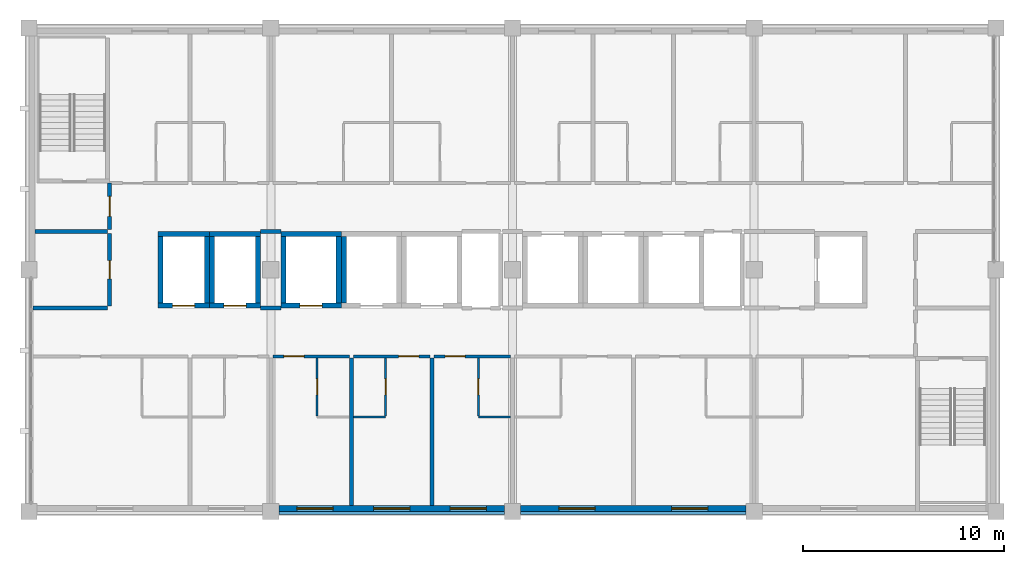
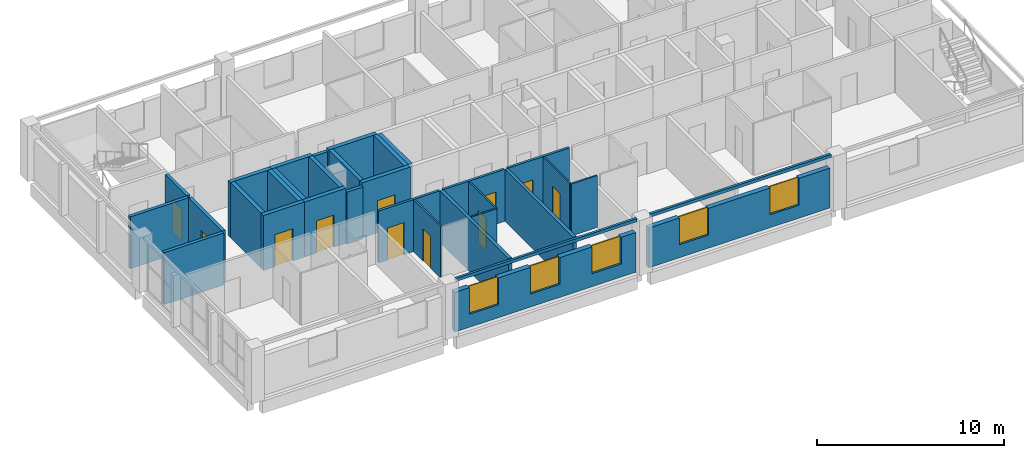
# One storey, part 6 of 11: 33 walls, 11 doors, 5 windows, 16 openings.
"""IFC4 building model written with IfcOpenShell, lengths in metres."""

from ifc_helpers import new_model, si_unit, direction, frame, frame_2d, origin, place, context, subcontext, project, spatial, rectangle, extrude, material, layer, layer_set, type_object, element, fill, save


model = new_model("IFC4")

# Units and contexts
model_context = context("Model", 3, precision=1e-05, world=origin(), true_north=direction((0.0, 1.0)))
body_context = subcontext(model_context, "Body", "Model", "MODEL_VIEW")
ifc_project = project(units=[si_unit("LENGTHUNIT", "METRE"), si_unit("AREAUNIT", "SQUARE_METRE"), si_unit("VOLUMEUNIT", "CUBIC_METRE"), si_unit("PLANEANGLEUNIT", "RADIAN"), si_unit("MASSUNIT", "GRAM", prefix="KILO")], contexts=[model_context])

# Site, building, storey
site_placement = place(None, origin())
site = spatial("IfcSite", under=ifc_project, at=site_placement, CompositionType="ELEMENT")
building_placement = place(site_placement, origin())
building = spatial("IfcBuilding", under=site, at=building_placement, Name="Lilac Gate Convention Centre", CompositionType="ELEMENT")
storey_placement = place(building_placement, frame((0.0, 0.0, 42.60009765625)))
storey = spatial("IfcBuildingStorey", under=building, at=storey_placement, Name="L10", CompositionType="ELEMENT", Elevation=42.60009765625)

# Wall, opening, door
ifc_material_1 = material(Name="Concrete C50", Category="concrete")
ifc_layer_1 = layer(ifc_material_1, 0.25)
ifc_layer_set_1 = layer_set([ifc_layer_1], Name="Concrete C50")
wall_type_1 = type_object("IfcWallType", Name="Core wall 250 C50", PredefinedType="SHEAR", material=ifc_layer_set_1)
wall_1_placement = place(storey_placement, frame((54.5, 232.22509765625, 0.0), z_axis=(0.0, 0.0, 1.0), x_axis=(1.0, 0.0, 0.0)))
wall_1 = element("IfcWall", 1, at=wall_1_placement, inside=storey, type_object=wall_type_1, Name="CRW4 core wall TC L10 1", PredefinedType="SHEAR", context=body_context, shape_type="SweptSolid", body=[
    extrude(rectangle(XDim=3.0, YDim=0.25, at=frame_2d((1.5, 0.0))), origin(), (0.0, 0.0, 1.0), 3.599853515625),
])
opening_1_placement = place(wall_1_placement, frame((0.949951171875, 0.0, 0.0)))
opening_1 = element("IfcOpeningElement", 2, at=opening_1_placement, cuts=wall_1, Name="Opening T10-042", PredefinedType="OPENING", context=body_context, shape_type="SweptSolid", body=[
    extrude(rectangle(XDim=1.10009765625, YDim=2.10009765625, at=frame_2d((0.550048828125, 1.050048828125))), frame((0.0, 0.135009765625, 0.0), z_axis=(0.0, -1.0, 0.0), x_axis=(1.0, 0.0, 0.0)), (0.0, 0.0, 1.0), 0.27001953125),
])
ifc_material_2 = material(Name="Stainless steel 304", Category="steel")
door_type_1 = type_object("IfcDoorType", Name="Lift landing door 1100", OperationType="SLIDING_TO_LEFT", PredefinedType="DOOR", material=ifc_material_2)
door_1_placement = place(opening_1_placement, origin())
door_1 = element("IfcDoor", 3, at=door_1_placement, inside=storey, type_object=door_type_1, Name="Lift landing door TP1 L10", OperationType="SLIDING_TO_LEFT", OverallHeight=2.10009765625, OverallWidth=1.10009765625, PredefinedType="DOOR", context=body_context, shape_type="SweptSolid", body=[
    extrude(rectangle(XDim=1.10009765625, YDim=2.10009765625, at=frame_2d((0.550048828125, 1.050048828125))), frame((0.0, 0.02490234375, 0.0), z_axis=(0.0, -1.0, 0.0), x_axis=(1.0, 0.0, 0.0)), (0.0, 0.0, 1.0), 0.050048828125),
])
fill(opening_1, door_1)

# Walls
wall_2_placement = place(storey_placement, frame((54.5, 235.77490234375, 0.0), z_axis=(0.0, 0.0, 1.0), x_axis=(1.0, 0.0, 0.0)))
element("IfcWall", 4, at=wall_2_placement, inside=storey, type_object=wall_type_1, Name="CRW4 core wall TC L10 2", PredefinedType="SHEAR", context=body_context, shape_type="SweptSolid", body=[
    extrude(rectangle(XDim=3.0, YDim=0.25, at=frame_2d((1.5, 0.0))), origin(), (0.0, 0.0, 1.0), 3.599853515625),
])
for number, where, z_axis, x_axis, name in (
    (5, (54.625, 232.35009765625, 0.0), (0.0, 0.0, 1.0), (0.0, 1.0, 0.0), "CRW4 core wall TC L10 3"),
    (6, (57.375, 232.35009765625, 0.0), (0.0, 0.0, 1.0), (0.0, 1.0, 0.0), "CRW4 core wall TC L10 4"),
    (7, (57.625, 232.35009765625, 0.0), (0.0, 0.0, 1.0), (0.0, 1.0, 0.0), "CRW4 core wall TC L10 7"),
):
    element("IfcWall", number, at=place(storey_placement, frame(where, z_axis=z_axis, x_axis=x_axis)), inside=storey, type_object=wall_type_1, Name=name, PredefinedType="SHEAR", context=body_context, shape_type="SweptSolid", body=[
        extrude(rectangle(XDim=3.2998046875, YDim=0.25, at=frame_2d((1.64990234375, 0.0))), origin(), (0.0, 0.0, 1.0), 3.599853515625),
    ])

# Wall, opening, door
wall_3_placement = place(storey_placement, frame((48.39990234375, 232.22509765625, 0.0), z_axis=(0.0, 0.0, 1.0), x_axis=(1.0, 0.0, 0.0)))
wall_3 = element("IfcWall", 8, at=wall_3_placement, inside=storey, type_object=wall_type_1, Name="CRW4 core wall TC L10 25", PredefinedType="SHEAR", context=body_context, shape_type="SweptSolid", body=[
    extrude(rectangle(XDim=2.550048828125, YDim=0.25, at=frame_2d((1.27490234375, 0.0))), origin(), (0.0, 0.0, 1.0), 3.599853515625),
])
opening_2_placement = place(wall_3_placement, frame((0.72509765625, 0.0, 0.0)))
opening_2 = element("IfcOpeningElement", 9, at=opening_2_placement, cuts=wall_3, Name="Opening T10-048", PredefinedType="OPENING", context=body_context, shape_type="SweptSolid", body=[
    extrude(rectangle(XDim=1.10009765625, YDim=2.10009765625, at=frame_2d((0.550048828125, 1.050048828125))), frame((0.0, 0.135009765625, 0.0), z_axis=(0.0, -1.0, 0.0), x_axis=(1.0, 0.0, 0.0)), (0.0, 0.0, 1.0), 0.27001953125),
])
door_2_placement = place(opening_2_placement, origin())
door_2 = element("IfcDoor", 10, at=door_2_placement, inside=storey, type_object=door_type_1, Name="Lift landing door TS1 L10", OperationType="SLIDING_TO_LEFT", OverallHeight=2.10009765625, OverallWidth=1.10009765625, PredefinedType="DOOR", context=body_context, shape_type="SweptSolid", body=[
    extrude(rectangle(XDim=1.10009765625, YDim=2.10009765625, at=frame_2d((0.550048828125, 1.050048828125))), frame((0.0, 0.02490234375, 0.0), z_axis=(0.0, -1.0, 0.0), x_axis=(1.0, 0.0, 0.0)), (0.0, 0.0, 1.0), 0.050048828125),
])
fill(opening_2, door_2)

# Walls
wall_4_placement = place(storey_placement, frame((48.39990234375, 235.77490234375, 0.0), z_axis=(0.0, 0.0, 1.0), x_axis=(1.0, 0.0, 0.0)))
element("IfcWall", 11, at=wall_4_placement, inside=storey, type_object=wall_type_1, Name="CRW4 core wall TC L10 26", PredefinedType="SHEAR", context=body_context, shape_type="SweptSolid", body=[
    extrude(rectangle(XDim=2.550048828125, YDim=0.25, at=frame_2d((1.27490234375, 0.0))), origin(), (0.0, 0.0, 1.0), 3.599853515625),
])
for number, where, z_axis, x_axis, name in (
    (12, (48.52490234375, 232.35009765625, 0.0), (0.0, 0.0, 1.0), (0.0, 1.0, 0.0), "CRW4 core wall TC L10 27"),
    (13, (50.824951171875, 232.35009765625, 0.0), (0.0, 0.0, 1.0), (0.0, 1.0, 0.0), "CRW4 core wall TC L10 28"),
):
    element("IfcWall", number, at=place(storey_placement, frame(where, z_axis=z_axis, x_axis=x_axis)), inside=storey, type_object=wall_type_1, Name=name, PredefinedType="SHEAR", context=body_context, shape_type="SweptSolid", body=[
        extrude(rectangle(XDim=3.2998046875, YDim=0.25, at=frame_2d((1.64990234375, 0.0))), origin(), (0.0, 0.0, 1.0), 3.599853515625),
    ])

# Wall, opening, door
wall_5_placement = place(storey_placement, frame((50.949951171875, 232.22509765625, 0.0), z_axis=(0.0, 0.0, 1.0), x_axis=(1.0, 0.0, 0.0)))
wall_5 = element("IfcWall", 14, at=wall_5_placement, inside=storey, type_object=wall_type_1, Name="CRW4 core wall TC L10 29", PredefinedType="SHEAR", context=body_context, shape_type="SweptSolid", body=[
    extrude(rectangle(XDim=2.550048828125, YDim=0.25, at=frame_2d((1.27490234375, 0.0))), origin(), (0.0, 0.0, 1.0), 3.599853515625),
])
opening_3_placement = place(wall_5_placement, frame((0.72509765625, 0.0, 0.0)))
opening_3 = element("IfcOpeningElement", 15, at=opening_3_placement, cuts=wall_5, Name="Opening T10-049", PredefinedType="OPENING", context=body_context, shape_type="SweptSolid", body=[
    extrude(rectangle(XDim=1.10009765625, YDim=2.10009765625, at=frame_2d((0.550048828125, 1.050048828125))), frame((0.0, 0.135009765625, 0.0), z_axis=(0.0, -1.0, 0.0), x_axis=(1.0, 0.0, 0.0)), (0.0, 0.0, 1.0), 0.27001953125),
])
door_3_placement = place(opening_3_placement, origin())
door_3 = element("IfcDoor", 16, at=door_3_placement, inside=storey, type_object=door_type_1, Name="Lift landing door TS2 L10", OperationType="SLIDING_TO_LEFT", OverallHeight=2.10009765625, OverallWidth=1.10009765625, PredefinedType="DOOR", context=body_context, shape_type="SweptSolid", body=[
    extrude(rectangle(XDim=1.10009765625, YDim=2.10009765625, at=frame_2d((0.550048828125, 1.050048828125))), frame((0.0, 0.02490234375, 0.0), z_axis=(0.0, -1.0, 0.0), x_axis=(1.0, 0.0, 0.0)), (0.0, 0.0, 1.0), 0.050048828125),
])
fill(opening_3, door_3)

# Walls
wall_6_placement = place(storey_placement, frame((50.949951171875, 235.77490234375, 0.0), z_axis=(0.0, 0.0, 1.0), x_axis=(1.0, 0.0, 0.0)))
element("IfcWall", 17, at=wall_6_placement, inside=storey, type_object=wall_type_1, Name="CRW4 core wall TC L10 30", PredefinedType="SHEAR", context=body_context, shape_type="SweptSolid", body=[
    extrude(rectangle(XDim=2.550048828125, YDim=0.25, at=frame_2d((1.27490234375, 0.0))), origin(), (0.0, 0.0, 1.0), 3.599853515625),
])
for number, where, z_axis, x_axis, name in (
    (18, (51.074951171875, 232.35009765625, 0.0), (0.0, 0.0, 1.0), (0.0, 1.0, 0.0), "CRW4 core wall TC L10 31"),
    (19, (53.375, 232.35009765625, 0.0), (0.0, 0.0, 1.0), (0.0, 1.0, 0.0), "CRW4 core wall TC L10 32"),
):
    element("IfcWall", number, at=place(storey_placement, frame(where, z_axis=z_axis, x_axis=x_axis)), inside=storey, type_object=wall_type_1, Name=name, PredefinedType="SHEAR", context=body_context, shape_type="SweptSolid", body=[
        extrude(rectangle(XDim=3.2998046875, YDim=0.25, at=frame_2d((1.64990234375, 0.0))), origin(), (0.0, 0.0, 1.0), 3.599853515625),
    ])

# Wall, opening, door
ifc_material_3 = material(Name="Gypsum board on steel stud", Category="steel")
ifc_layer_2 = layer(ifc_material_3, 0.14990234375)
ifc_layer_set_2 = layer_set([ifc_layer_2], Name="Gypsum board on steel stud")
wall_type_2 = type_object("IfcWallType", Name="Corridor wall 150", PredefinedType="PARTITIONING", material=ifc_layer_set_2)
wall_7_placement = place(storey_placement, frame((57.89990234375, 229.699951171875, 0.0), z_axis=(0.0, 0.0, 1.0), x_axis=(-1.0, 0.0, 0.0)))
wall_7 = element("IfcWall", 20, at=wall_7_placement, inside=storey, type_object=wall_type_2, Name="Corridor wall 150 front 1003", PredefinedType="PARTITIONING", context=body_context, shape_type="SweptSolid", body=[
    extrude(rectangle(XDim=3.7998046875, YDim=0.14990234375, at=frame_2d((1.89990234375, 0.0))), origin(), (0.0, 0.0, 1.0), 3.39990234375),
])
opening_4_placement = place(wall_7_placement, frame((2.25, 0.0, 0.0)))
opening_4 = element("IfcOpeningElement", 21, at=opening_4_placement, cuts=wall_7, Name="Opening T10-012", PredefinedType="OPENING", context=body_context, shape_type="SweptSolid", body=[
    extrude(rectangle(XDim=1.0, YDim=2.10009765625, at=frame_2d((0.5, 1.050048828125))), frame((0.0, 0.0849609375, 0.0), z_axis=(0.0, -1.0, 0.0), x_axis=(1.0, 0.0, 0.0)), (0.0, 0.0, 1.0), 0.169921875),
])
ifc_material_4 = material(Name="Timber", Category="wood")
door_type_2 = type_object("IfcDoorType", Name="Guest room entrance door 1000", OperationType="SINGLE_SWING_LEFT", PredefinedType="DOOR", material=ifc_material_4)
door_4_placement = place(opening_4_placement, origin())
door_4 = element("IfcDoor", 22, at=door_4_placement, inside=storey, type_object=door_type_2, Name="Guest room door 1003", OperationType="SINGLE_SWING_RIGHT", OverallHeight=2.10009765625, OverallWidth=1.0, PredefinedType="DOOR", context=body_context, shape_type="SweptSolid", body=[
    extrude(rectangle(XDim=1.0, YDim=2.10009765625, at=frame_2d((0.5, 1.050048828125))), frame((0.0, 0.02490234375, 0.0), z_axis=(0.0, -1.0, 0.0), x_axis=(1.0, 0.0, 0.0)), (0.0, 0.0, 1.0), 0.050048828125),
])
fill(opening_4, door_4)

wall_8_placement = place(storey_placement, frame((61.89990234375, 229.699951171875, 0.0), z_axis=(0.0, 0.0, 1.0), x_axis=(-1.0, 0.0, 0.0)))
wall_8 = element("IfcWall", 23, at=wall_8_placement, inside=storey, type_object=wall_type_2, Name="Corridor wall 150 front 1004", PredefinedType="PARTITIONING", context=body_context, shape_type="SweptSolid", body=[
    extrude(rectangle(XDim=3.7998046875, YDim=0.14990234375, at=frame_2d((1.89990234375, 0.0))), origin(), (0.0, 0.0, 1.0), 3.39990234375),
])
opening_5_placement = place(wall_8_placement, frame((0.550048828125, 0.0, 0.0)))
opening_5 = element("IfcOpeningElement", 24, at=opening_5_placement, cuts=wall_8, Name="Opening T10-014", PredefinedType="OPENING", context=body_context, shape_type="SweptSolid", body=[
    extrude(rectangle(XDim=1.0, YDim=2.10009765625, at=frame_2d((0.5, 1.050048828125))), frame((0.0, 0.0849609375, 0.0), z_axis=(0.0, -1.0, 0.0), x_axis=(1.0, 0.0, 0.0)), (0.0, 0.0, 1.0), 0.169921875),
])
door_5_placement = place(opening_5_placement, origin())
door_5 = element("IfcDoor", 25, at=door_5_placement, inside=storey, type_object=door_type_2, Name="Guest room door 1004", OperationType="SINGLE_SWING_LEFT", OverallHeight=2.10009765625, OverallWidth=1.0, PredefinedType="DOOR", context=body_context, shape_type="SweptSolid", body=[
    extrude(rectangle(XDim=1.0, YDim=2.10009765625, at=frame_2d((0.5, 1.050048828125))), frame((0.0, 0.02490234375, 0.0), z_axis=(0.0, -1.0, 0.0), x_axis=(1.0, 0.0, 0.0)), (0.0, 0.0, 1.0), 0.050048828125),
])
fill(opening_5, door_5)

wall_9_placement = place(storey_placement, frame((65.89990234375, 229.699951171875, 0.0), z_axis=(0.0, 0.0, 1.0), x_axis=(-1.0, 0.0, 0.0)))
wall_9 = element("IfcWall", 26, at=wall_9_placement, inside=storey, type_object=wall_type_2, Name="Corridor wall 150 front 1005", PredefinedType="PARTITIONING", context=body_context, shape_type="SweptSolid", body=[
    extrude(rectangle(XDim=3.7998046875, YDim=0.14990234375, at=frame_2d((1.89990234375, 0.0))), origin(), (0.0, 0.0, 1.0), 3.39990234375),
])
opening_6_placement = place(wall_9_placement, frame((2.25, 0.0, 0.0)))
opening_6 = element("IfcOpeningElement", 27, at=opening_6_placement, cuts=wall_9, Name="Opening T10-016", PredefinedType="OPENING", context=body_context, shape_type="SweptSolid", body=[
    extrude(rectangle(XDim=1.0, YDim=2.10009765625, at=frame_2d((0.5, 1.050048828125))), frame((0.0, 0.0849609375, 0.0), z_axis=(0.0, -1.0, 0.0), x_axis=(1.0, 0.0, 0.0)), (0.0, 0.0, 1.0), 0.169921875),
])
door_6_placement = place(opening_6_placement, origin())
door_6 = element("IfcDoor", 28, at=door_6_placement, inside=storey, type_object=door_type_2, Name="Guest room door 1005", OperationType="SINGLE_SWING_LEFT", OverallHeight=2.10009765625, OverallWidth=1.0, PredefinedType="DOOR", context=body_context, shape_type="SweptSolid", body=[
    extrude(rectangle(XDim=1.0, YDim=2.10009765625, at=frame_2d((0.5, 1.050048828125))), frame((0.0, 0.02490234375, 0.0), z_axis=(0.0, -1.0, 0.0), x_axis=(1.0, 0.0, 0.0)), (0.0, 0.0, 1.0), 0.050048828125),
])
fill(opening_6, door_6)

ifc_layer_3 = layer(ifc_material_3, 0.10009765625)
ifc_layer_set_3 = layer_set([ifc_layer_3], Name="Gypsum board on steel stud")
wall_type_3 = type_object("IfcWallType", Name="En-suite wall 100", PredefinedType="PARTITIONING", material=ifc_layer_set_3)
wall_10_placement = place(storey_placement, frame((56.300048828125, 226.75, 0.0), z_axis=(0.0, 0.0, 1.0), x_axis=(0.0, 1.0, 0.0)))
wall_10 = element("IfcWall", 29, at=wall_10_placement, inside=storey, type_object=wall_type_3, Name="En-suite wall 100 bath side 1003", PredefinedType="PARTITIONING", context=body_context, shape_type="SweptSolid", body=[
    extrude(rectangle(XDim=2.875, YDim=0.10009765625, at=frame_2d((1.4375, 0.0))), origin(), (0.0, 0.0, 1.0), 3.39990234375),
])
opening_7_placement = place(wall_10_placement, frame((1.03759765625, 0.0, 0.0)))
opening_7 = element("IfcOpeningElement", 30, at=opening_7_placement, cuts=wall_10, Name="Opening T10-013", PredefinedType="OPENING", context=body_context, shape_type="SweptSolid", body=[
    extrude(rectangle(XDim=0.800048828125, YDim=2.10009765625, at=frame_2d((0.39990234375, 1.050048828125))), frame((0.0, 0.06005859375, 0.0), z_axis=(0.0, -1.0, 0.0), x_axis=(1.0, 0.0, 0.0)), (0.0, 0.0, 1.0), 0.1201171875),
])
door_type_3 = type_object("IfcDoorType", Name="En-suite door 800", OperationType="SINGLE_SWING_LEFT", PredefinedType="DOOR", material=ifc_material_4)
door_7_placement = place(opening_7_placement, origin())
door_7 = element("IfcDoor", 31, at=door_7_placement, inside=storey, type_object=door_type_3, Name="En-suite door 1003", OperationType="SINGLE_SWING_RIGHT", OverallHeight=2.10009765625, OverallWidth=0.800048828125, PredefinedType="DOOR", context=body_context, shape_type="SweptSolid", body=[
    extrude(rectangle(XDim=0.800048828125, YDim=2.10009765625, at=frame_2d((0.39990234375, 1.050048828125))), frame((0.0, 0.02490234375, 0.0), z_axis=(0.0, -1.0, 0.0), x_axis=(1.0, 0.0, 0.0)), (0.0, 0.0, 1.0), 0.050048828125),
])
fill(opening_7, door_7)

# Wall
wall_11_placement = place(storey_placement, frame((58.10009765625, 226.699951171875, 0.0), z_axis=(0.0, 0.0, 1.0), x_axis=(1.0, 0.0, 0.0)))
element("IfcWall", 32, at=wall_11_placement, inside=storey, type_object=wall_type_3, Name="En-suite wall 100 bath 1004", PredefinedType="PARTITIONING", context=body_context, shape_type="SweptSolid", body=[
    extrude(rectangle(XDim=1.599853515625, YDim=0.10009765625, at=frame_2d((0.7998046875, 0.0))), origin(), (0.0, 0.0, 1.0), 3.39990234375),
])

# Wall, opening, door
wall_12_placement = place(storey_placement, frame((59.699951171875, 229.625, 0.0), z_axis=(0.0, 0.0, 1.0), x_axis=(0.0, -1.0, 0.0)))
wall_12 = element("IfcWall", 33, at=wall_12_placement, inside=storey, type_object=wall_type_3, Name="En-suite wall 100 bath side 1004", PredefinedType="PARTITIONING", context=body_context, shape_type="SweptSolid", body=[
    extrude(rectangle(XDim=2.875, YDim=0.10009765625, at=frame_2d((1.4375, 0.0))), origin(), (0.0, 0.0, 1.0), 3.39990234375),
])
opening_8_placement = place(wall_12_placement, frame((1.03759765625, 0.0, 0.0)))
opening_8 = element("IfcOpeningElement", 34, at=opening_8_placement, cuts=wall_12, Name="Opening T10-015", PredefinedType="OPENING", context=body_context, shape_type="SweptSolid", body=[
    extrude(rectangle(XDim=0.800048828125, YDim=2.10009765625, at=frame_2d((0.39990234375, 1.050048828125))), frame((0.0, 0.06005859375, 0.0), z_axis=(0.0, -1.0, 0.0), x_axis=(1.0, 0.0, 0.0)), (0.0, 0.0, 1.0), 0.1201171875),
])
door_8_placement = place(opening_8_placement, origin())
door_8 = element("IfcDoor", 35, at=door_8_placement, inside=storey, type_object=door_type_3, Name="En-suite door 1004", OperationType="SINGLE_SWING_LEFT", OverallHeight=2.10009765625, OverallWidth=0.800048828125, PredefinedType="DOOR", context=body_context, shape_type="SweptSolid", body=[
    extrude(rectangle(XDim=0.800048828125, YDim=2.10009765625, at=frame_2d((0.39990234375, 1.050048828125))), frame((0.0, 0.02490234375, 0.0), z_axis=(0.0, -1.0, 0.0), x_axis=(1.0, 0.0, 0.0)), (0.0, 0.0, 1.0), 0.050048828125),
])
fill(opening_8, door_8)

# Wall
wall_13_placement = place(storey_placement, frame((64.300048828125, 226.699951171875, 0.0), z_axis=(0.0, 0.0, 1.0), x_axis=(1.0, 0.0, 0.0)))
element("IfcWall", 36, at=wall_13_placement, inside=storey, type_object=wall_type_3, Name="En-suite wall 100 bath 1005", PredefinedType="PARTITIONING", context=body_context, shape_type="SweptSolid", body=[
    extrude(rectangle(XDim=1.599853515625, YDim=0.10009765625, at=frame_2d((0.7998046875, 0.0))), origin(), (0.0, 0.0, 1.0), 3.39990234375),
])

# Wall, opening, door
wall_14_placement = place(storey_placement, frame((64.300048828125, 226.75, 0.0), z_axis=(0.0, 0.0, 1.0), x_axis=(0.0, 1.0, 0.0)))
wall_14 = element("IfcWall", 37, at=wall_14_placement, inside=storey, type_object=wall_type_3, Name="En-suite wall 100 bath side 1005", PredefinedType="PARTITIONING", context=body_context, shape_type="SweptSolid", body=[
    extrude(rectangle(XDim=2.875, YDim=0.10009765625, at=frame_2d((1.4375, 0.0))), origin(), (0.0, 0.0, 1.0), 3.39990234375),
])
opening_9_placement = place(wall_14_placement, frame((1.03759765625, 0.0, 0.0)))
opening_9 = element("IfcOpeningElement", 38, at=opening_9_placement, cuts=wall_14, Name="Opening T10-017", PredefinedType="OPENING", context=body_context, shape_type="SweptSolid", body=[
    extrude(rectangle(XDim=0.800048828125, YDim=2.10009765625, at=frame_2d((0.39990234375, 1.050048828125))), frame((0.0, 0.06005859375, 0.0), z_axis=(0.0, -1.0, 0.0), x_axis=(1.0, 0.0, 0.0)), (0.0, 0.0, 1.0), 0.1201171875),
])
door_9_placement = place(opening_9_placement, origin())
door_9 = element("IfcDoor", 39, at=door_9_placement, inside=storey, type_object=door_type_3, Name="En-suite door 1005", OperationType="SINGLE_SWING_RIGHT", OverallHeight=2.10009765625, OverallWidth=0.800048828125, PredefinedType="DOOR", context=body_context, shape_type="SweptSolid", body=[
    extrude(rectangle(XDim=0.800048828125, YDim=2.10009765625, at=frame_2d((0.39990234375, 1.050048828125))), frame((0.0, 0.02490234375, 0.0), z_axis=(0.0, -1.0, 0.0), x_axis=(1.0, 0.0, 0.0)), (0.0, 0.0, 1.0), 0.050048828125),
])
fill(opening_9, door_9)

# Walls
ifc_layer_4 = layer(ifc_material_3, 0.199951171875)
ifc_layer_set_4 = layer_set([ifc_layer_4], Name="Gypsum board on steel stud")
wall_type_4 = type_object("IfcWallType", Name="Guest room party wall 200", PredefinedType="PARTITIONING", material=ifc_layer_set_4)
for number, where, z_axis, x_axis, name in (
    (40, (58.0, 222.2998046875, 0.0), (0.0, 0.0, 1.0), (0.0, 1.0, 0.0), "Guest room party wall 200 party 58.0"),
    (41, (62.0, 222.2998046875, 0.0), (0.0, 0.0, 1.0), (0.0, 1.0, 0.0), "Guest room party wall 200 party 62.0"),
):
    element("IfcWall", number, at=place(storey_placement, frame(where, z_axis=z_axis, x_axis=x_axis)), inside=storey, type_object=wall_type_4, Name=name, PredefinedType="PARTITIONING", context=body_context, shape_type="SweptSolid", body=[
        extrude(rectangle(XDim=7.3251953125, YDim=0.199951171875, at=frame_2d((3.66259765625, 0.0))), origin(), (0.0, 0.0, 1.0), 3.39990234375),
    ])

# Wall, opening, door
ifc_layer_5 = layer(ifc_material_3, 0.199951171875)
ifc_layer_set_5 = layer_set([ifc_layer_5], Name="Gypsum board on steel stud")
wall_type_5 = type_object("IfcWallType", Name="Lobby wall 200", PredefinedType="PARTITIONING", material=ifc_layer_set_5)
wall_15_placement = place(storey_placement, frame((46.0, 236.0, 0.0), z_axis=(0.0, 0.0, 1.0), x_axis=(0.0, 1.0, 0.0)))
wall_15 = element("IfcWall", 42, at=wall_15_placement, inside=storey, type_object=wall_type_5, Name="Lobby wall 200 STL-NW-E", PredefinedType="PARTITIONING", context=body_context, shape_type="SweptSolid", body=[
    extrude(rectangle(XDim=2.300048828125, YDim=0.199951171875, at=frame_2d((1.14990234375, 0.0))), origin(), (0.0, 0.0, 1.0), 3.39990234375),
])
opening_10_placement = place(wall_15_placement, frame((0.64990234375, 0.0, 0.0)))
opening_10 = element("IfcOpeningElement", 43, at=opening_10_placement, cuts=wall_15, Name="Opening T10-006", PredefinedType="OPENING", context=body_context, shape_type="SweptSolid", body=[
    extrude(rectangle(XDim=1.0, YDim=2.10009765625, at=frame_2d((0.5, 1.050048828125))), frame((0.0, 0.10986328125, 0.0), z_axis=(0.0, -1.0, 0.0), x_axis=(1.0, 0.0, 0.0)), (0.0, 0.0, 1.0), 0.219970703125),
])
ifc_material_5 = material(Name="Steel Q235B", Category="steel")
door_type_4 = type_object("IfcDoorType", Name="Lobby door 1000", OperationType="SINGLE_SWING_LEFT", PredefinedType="DOOR", material=ifc_material_5)
door_10_placement = place(opening_10_placement, origin())
door_10 = element("IfcDoor", 44, at=door_10_placement, inside=storey, type_object=door_type_4, Name="Stair lobby door NW", OperationType="SINGLE_SWING_LEFT", OverallHeight=2.10009765625, OverallWidth=1.0, PredefinedType="DOOR", context=body_context, shape_type="SweptSolid", body=[
    extrude(rectangle(XDim=1.0, YDim=2.10009765625, at=frame_2d((0.5, 1.050048828125))), frame((0.0, 0.02490234375, 0.0), z_axis=(0.0, -1.0, 0.0), x_axis=(1.0, 0.0, 0.0)), (0.0, 0.0, 1.0), 0.050048828125),
])
fill(opening_10, door_10)

# Walls
ifc_material_6 = material(Name="Concrete C40 precast", Category="concrete")
ifc_layer_6 = layer(ifc_material_6, 0.1298828125)
ifc_material_7 = material(Name="Teal glazed cladding")
ifc_layer_7 = layer(ifc_material_7, 0.02001953125)
ifc_layer_set_6 = layer_set([ifc_layer_6, ifc_layer_7], Name="Concrete C40 precast, Teal glazed cladding")
wall_type_6 = type_object("IfcWallType", Name="Precast band teal 150", PredefinedType="STANDARD", material=ifc_layer_set_6)
for number, where, z_axis, x_axis, name in (
    (45, (54.39990234375, 221.925048828125, 3.39990234375), (0.0, 0.0, 1.0), (1.0, 0.0, 0.0), "Precast band S L10 2"),
    (46, (66.39990234375, 221.925048828125, 3.39990234375), (0.0, 0.0, 1.0), (1.0, 0.0, 0.0), "Precast band S L10 3"),
):
    element("IfcWall", number, at=place(storey_placement, frame(where, z_axis=z_axis, x_axis=x_axis)), inside=storey, type_object=wall_type_6, Name=name, PredefinedType="STANDARD", context=body_context, shape_type="SweptSolid", body=[
        extrude(rectangle(XDim=11.2001953125, YDim=0.14990234375, at=frame_2d((5.60009765625, 0.0))), origin(), (0.0, 0.0, 1.0), 0.199951171875),
    ])

# Wall, openings, windows
ifc_material_8 = material(Name="Ochre mineral render")
ifc_layer_8 = layer(ifc_material_8, 0.02001953125)
ifc_layer_9 = layer(ifc_material_6, 0.06005859375)
ifc_material_9 = material(Name="Ventilated air cavity")
ifc_layer_10 = layer(ifc_material_9, 0.030029296875)
ifc_material_10 = material(Name="Mineral wool insulation")
ifc_layer_11 = layer(ifc_material_10, 0.1201171875)
ifc_material_11 = material(Name="Steel stud Q345 and gypsum lining", Category="steel")
ifc_layer_12 = layer(ifc_material_11, 0.070068359375)
ifc_layer_set_7 = layer_set([ifc_layer_8, ifc_layer_9, ifc_layer_10, ifc_layer_11, ifc_layer_12], Name="Ochre mineral render, Concrete C40 precast, Ventilated air cavity, Mineral wool insulation, Steel stud Q345 and gypsum lining")
wall_type_7 = type_object("IfcWallType", Name="Precast panel wall ochre 300", PredefinedType="STANDARD", material=ifc_layer_set_7)
wall_16_placement = place(storey_placement, frame((54.39990234375, 222.14990234375, 0.0), z_axis=(0.0, 0.0, 1.0), x_axis=(1.0, 0.0, 0.0)))
wall_16 = element("IfcWall", 47, at=wall_16_placement, inside=storey, type_object=wall_type_7, Name="External wall S L10 2", PredefinedType="STANDARD", context=body_context, shape_type="SweptSolid", body=[
    extrude(rectangle(XDim=11.2001953125, YDim=0.300048828125, at=frame_2d((5.60009765625, 0.0))), origin(), (0.0, 0.0, 1.0), 2.599853515625),
])
opening_11_placement = place(wall_16_placement, frame((0.89990234375, 0.0, 0.85009765625)))
opening_11 = element("IfcOpeningElement", 48, at=opening_11_placement, cuts=wall_16, Name="Opening W1", PredefinedType="OPENING", context=body_context, shape_type="SweptSolid", body=[
    extrude(rectangle(XDim=1.800048828125, YDim=1.75, at=frame_2d((0.89990234375, 0.875))), frame((0.0, 0.159912109375, 0.0), z_axis=(0.0, -1.0, 0.0), x_axis=(1.0, 0.0, 0.0)), (0.0, 0.0, 1.0), 0.320068359375),
])
opening_12_placement = place(wall_16_placement, frame((4.699951171875, 0.0, 0.85009765625)))
opening_12 = element("IfcOpeningElement", 49, at=opening_12_placement, cuts=wall_16, Name="Opening W1", PredefinedType="OPENING", context=body_context, shape_type="SweptSolid", body=[
    extrude(rectangle(XDim=1.800048828125, YDim=1.75, at=frame_2d((0.89990234375, 0.875))), frame((0.0, 0.159912109375, 0.0), z_axis=(0.0, -1.0, 0.0), x_axis=(1.0, 0.0, 0.0)), (0.0, 0.0, 1.0), 0.320068359375),
])
opening_13_placement = place(wall_16_placement, frame((8.5, 0.0, 0.85009765625)))
opening_13 = element("IfcOpeningElement", 50, at=opening_13_placement, cuts=wall_16, Name="Opening W1", PredefinedType="OPENING", context=body_context, shape_type="SweptSolid", body=[
    extrude(rectangle(XDim=1.800048828125, YDim=1.75, at=frame_2d((0.89990234375, 0.875))), frame((0.0, 0.159912109375, 0.0), z_axis=(0.0, -1.0, 0.0), x_axis=(1.0, 0.0, 0.0)), (0.0, 0.0, 1.0), 0.320068359375),
])
ifc_material_12 = material(Name="Aluminium framed double glazing", Category="aluminium")
window_type = type_object("IfcWindowType", Name="Guest room window 1800 x 1750", PartitioningType="DOUBLE_PANEL_VERTICAL", PredefinedType="WINDOW", material=ifc_material_12)
window_1_placement = place(opening_11_placement, origin())
window_1 = element("IfcWindow", 51, at=window_1_placement, inside=storey, type_object=window_type, Name="Window Guest S L10", OverallHeight=1.75, OverallWidth=1.800048828125, PartitioningType="SINGLE_PANEL", PredefinedType="WINDOW", context=body_context, shape_type="SweptSolid", body=[
    extrude(rectangle(XDim=1.800048828125, YDim=1.75, at=frame_2d((0.89990234375, 0.875))), frame((0.0, 0.030029296875, 0.0), z_axis=(0.0, -1.0, 0.0), x_axis=(1.0, 0.0, 0.0)), (0.0, 0.0, 1.0), 0.06005859375),
])
fill(opening_11, window_1)
window_2_placement = place(opening_12_placement, origin())
window_2 = element("IfcWindow", 52, at=window_2_placement, inside=storey, type_object=window_type, Name="Window Guest S L10", OverallHeight=1.75, OverallWidth=1.800048828125, PartitioningType="SINGLE_PANEL", PredefinedType="WINDOW", context=body_context, shape_type="SweptSolid", body=[
    extrude(rectangle(XDim=1.800048828125, YDim=1.75, at=frame_2d((0.89990234375, 0.875))), frame((0.0, 0.030029296875, 0.0), z_axis=(0.0, -1.0, 0.0), x_axis=(1.0, 0.0, 0.0)), (0.0, 0.0, 1.0), 0.06005859375),
])
fill(opening_12, window_2)
window_3_placement = place(opening_13_placement, origin())
window_3 = element("IfcWindow", 53, at=window_3_placement, inside=storey, type_object=window_type, Name="Window Guest S L10", OverallHeight=1.75, OverallWidth=1.800048828125, PartitioningType="SINGLE_PANEL", PredefinedType="WINDOW", context=body_context, shape_type="SweptSolid", body=[
    extrude(rectangle(XDim=1.800048828125, YDim=1.75, at=frame_2d((0.89990234375, 0.875))), frame((0.0, 0.030029296875, 0.0), z_axis=(0.0, -1.0, 0.0), x_axis=(1.0, 0.0, 0.0)), (0.0, 0.0, 1.0), 0.06005859375),
])
fill(opening_13, window_3)

wall_17_placement = place(storey_placement, frame((66.39990234375, 222.14990234375, 0.0), z_axis=(0.0, 0.0, 1.0), x_axis=(1.0, 0.0, 0.0)))
wall_17 = element("IfcWall", 54, at=wall_17_placement, inside=storey, type_object=wall_type_7, Name="External wall S L10 3", PredefinedType="STANDARD", context=body_context, shape_type="SweptSolid", body=[
    extrude(rectangle(XDim=11.2001953125, YDim=0.300048828125, at=frame_2d((5.60009765625, 0.0))), origin(), (0.0, 0.0, 1.0), 2.599853515625),
])
opening_14_placement = place(wall_17_placement, frame((1.89990234375, 0.0, 0.85009765625)))
opening_14 = element("IfcOpeningElement", 55, at=opening_14_placement, cuts=wall_17, Name="Opening W1", PredefinedType="OPENING", context=body_context, shape_type="SweptSolid", body=[
    extrude(rectangle(XDim=1.800048828125, YDim=1.75, at=frame_2d((0.89990234375, 0.875))), frame((0.0, 0.159912109375, 0.0), z_axis=(0.0, -1.0, 0.0), x_axis=(1.0, 0.0, 0.0)), (0.0, 0.0, 1.0), 0.320068359375),
])
opening_15_placement = place(wall_17_placement, frame((7.5, 0.0, 0.85009765625)))
opening_15 = element("IfcOpeningElement", 56, at=opening_15_placement, cuts=wall_17, Name="Opening W1", PredefinedType="OPENING", context=body_context, shape_type="SweptSolid", body=[
    extrude(rectangle(XDim=1.800048828125, YDim=1.75, at=frame_2d((0.89990234375, 0.875))), frame((0.0, 0.159912109375, 0.0), z_axis=(0.0, -1.0, 0.0), x_axis=(1.0, 0.0, 0.0)), (0.0, 0.0, 1.0), 0.320068359375),
])
window_4_placement = place(opening_14_placement, origin())
window_4 = element("IfcWindow", 57, at=window_4_placement, inside=storey, type_object=window_type, Name="Window Guest S L10", OverallHeight=1.75, OverallWidth=1.800048828125, PartitioningType="SINGLE_PANEL", PredefinedType="WINDOW", context=body_context, shape_type="SweptSolid", body=[
    extrude(rectangle(XDim=1.800048828125, YDim=1.75, at=frame_2d((0.89990234375, 0.875))), frame((0.0, 0.030029296875, 0.0), z_axis=(0.0, -1.0, 0.0), x_axis=(1.0, 0.0, 0.0)), (0.0, 0.0, 1.0), 0.06005859375),
])
fill(opening_14, window_4)
window_5_placement = place(opening_15_placement, origin())
window_5 = element("IfcWindow", 58, at=window_5_placement, inside=storey, type_object=window_type, Name="Window Guest S L10", OverallHeight=1.75, OverallWidth=1.800048828125, PartitioningType="SINGLE_PANEL", PredefinedType="WINDOW", context=body_context, shape_type="SweptSolid", body=[
    extrude(rectangle(XDim=1.800048828125, YDim=1.75, at=frame_2d((0.89990234375, 0.875))), frame((0.0, 0.030029296875, 0.0), z_axis=(0.0, -1.0, 0.0), x_axis=(1.0, 0.0, 0.0)), (0.0, 0.0, 1.0), 0.06005859375),
])
fill(opening_15, window_5)

# Walls
ifc_layer_13 = layer(ifc_material_3, 0.199951171875)
ifc_layer_set_8 = layer_set([ifc_layer_13], Name="Gypsum board on steel stud")
wall_type_8 = type_object("IfcWallType", Name="Riser and store wall 200", PredefinedType="PARTITIONING", material=ifc_layer_set_8)
wall_18_placement = place(storey_placement, frame((42.2001953125, 232.10009765625, 0.0), z_axis=(0.0, 0.0, 1.0), x_axis=(1.0, 0.0, 0.0)))
element("IfcWall", 59, at=wall_18_placement, inside=storey, type_object=wall_type_8, Name="Riser and store wall 200 HKW-S", PredefinedType="PARTITIONING", context=body_context, shape_type="SweptSolid", body=[
    extrude(rectangle(XDim=3.69970703125, YDim=0.199951171875, at=frame_2d((1.849853515625, 0.0))), origin(), (0.0, 0.0, 1.0), 3.39990234375),
])
wall_19_placement = place(storey_placement, frame((53.5, 232.10009765625, 0.0), z_axis=(0.0, 0.0, 1.0), x_axis=(1.0, 0.0, 0.0)))
element("IfcWall", 60, at=wall_19_placement, inside=storey, type_object=wall_type_8, Name="Riser and store wall 200 NICHE1-S", PredefinedType="PARTITIONING", context=body_context, shape_type="SweptSolid", body=[
    extrude(rectangle(XDim=1.0, YDim=0.199951171875, at=frame_2d((0.5, 0.0))), origin(), (0.0, 0.0, 1.0), 3.39990234375),
])
wall_20_placement = place(storey_placement, frame((42.2998046875, 235.89990234375, 0.0), z_axis=(0.0, 0.0, 1.0), x_axis=(1.0, 0.0, 0.0)))
element("IfcWall", 61, at=wall_20_placement, inside=storey, type_object=wall_type_8, Name="Riser and store wall 200 HKW-N", PredefinedType="PARTITIONING", context=body_context, shape_type="SweptSolid", body=[
    extrude(rectangle(XDim=3.60009765625, YDim=0.199951171875, at=frame_2d((1.800048828125, 0.0))), origin(), (0.0, 0.0, 1.0), 3.39990234375),
])
wall_21_placement = place(storey_placement, frame((53.5, 235.89990234375, 0.0), z_axis=(0.0, 0.0, 1.0), x_axis=(1.0, 0.0, 0.0)))
element("IfcWall", 62, at=wall_21_placement, inside=storey, type_object=wall_type_8, Name="Riser and store wall 200 NICHE1-N", PredefinedType="PARTITIONING", context=body_context, shape_type="SweptSolid", body=[
    extrude(rectangle(XDim=1.0, YDim=0.199951171875, at=frame_2d((0.5, 0.0))), origin(), (0.0, 0.0, 1.0), 3.39990234375),
])

# Wall, opening, door
wall_22_placement = place(storey_placement, frame((46.0, 232.199951171875, 0.0), z_axis=(0.0, 0.0, 1.0), x_axis=(0.0, 1.0, 0.0)))
wall_22 = element("IfcWall", 63, at=wall_22_placement, inside=storey, type_object=wall_type_8, Name="Riser and store wall 200 HKW-E", PredefinedType="PARTITIONING", context=body_context, shape_type="SweptSolid", body=[
    extrude(rectangle(XDim=3.60009765625, YDim=0.199951171875, at=frame_2d((1.800048828125, 0.0))), origin(), (0.0, 0.0, 1.0), 3.39990234375),
])
opening_16_placement = place(wall_22_placement, frame((1.35009765625, 0.0, 0.0)))
opening_16 = element("IfcOpeningElement", 64, at=opening_16_placement, cuts=wall_22, Name="Opening T10-001", PredefinedType="OPENING", context=body_context, shape_type="SweptSolid", body=[
    extrude(rectangle(XDim=0.89990234375, YDim=2.10009765625, at=frame_2d((0.449951171875, 1.050048828125))), frame((0.0, 0.10986328125, 0.0), z_axis=(0.0, -1.0, 0.0), x_axis=(1.0, 0.0, 0.0)), (0.0, 0.0, 1.0), 0.219970703125),
])
door_type_5 = type_object("IfcDoorType", Name="Riser and store door 900", OperationType="SINGLE_SWING_LEFT", PredefinedType="DOOR", material=ifc_material_5)
door_11_placement = place(opening_16_placement, origin())
door_11 = element("IfcDoor", 65, at=door_11_placement, inside=storey, type_object=door_type_5, Name="Housekeeping door", OperationType="SINGLE_SWING_LEFT", OverallHeight=2.10009765625, OverallWidth=0.89990234375, PredefinedType="DOOR", context=body_context, shape_type="SweptSolid", body=[
    extrude(rectangle(XDim=0.89990234375, YDim=2.10009765625, at=frame_2d((0.449951171875, 1.050048828125))), frame((0.0, 0.02490234375, 0.0), z_axis=(0.0, -1.0, 0.0), x_axis=(1.0, 0.0, 0.0)), (0.0, 0.0, 1.0), 0.050048828125),
])
fill(opening_16, door_11)

save(model, "model.ifc")
